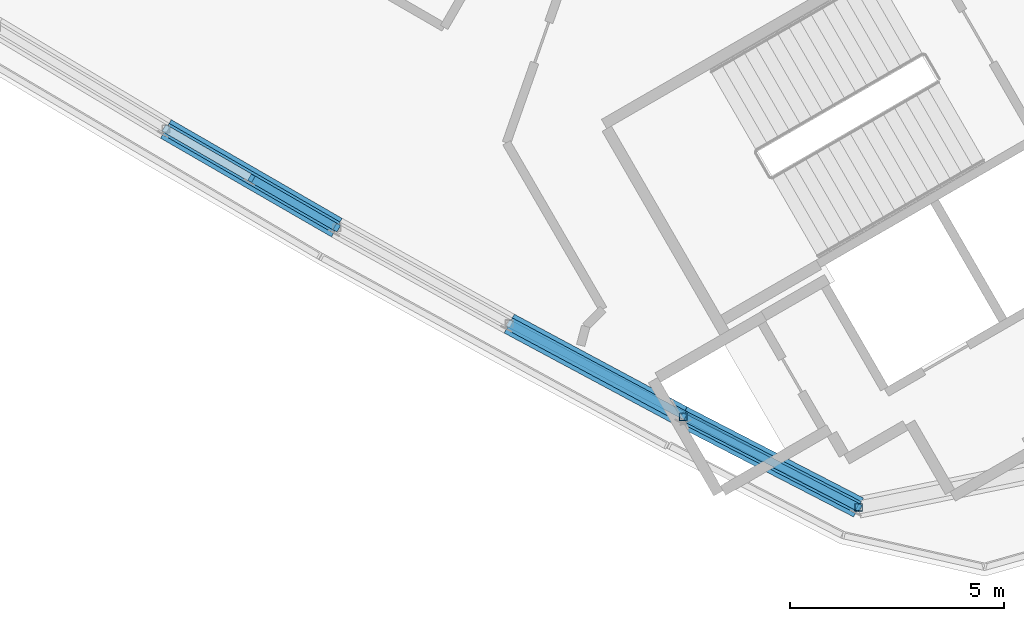
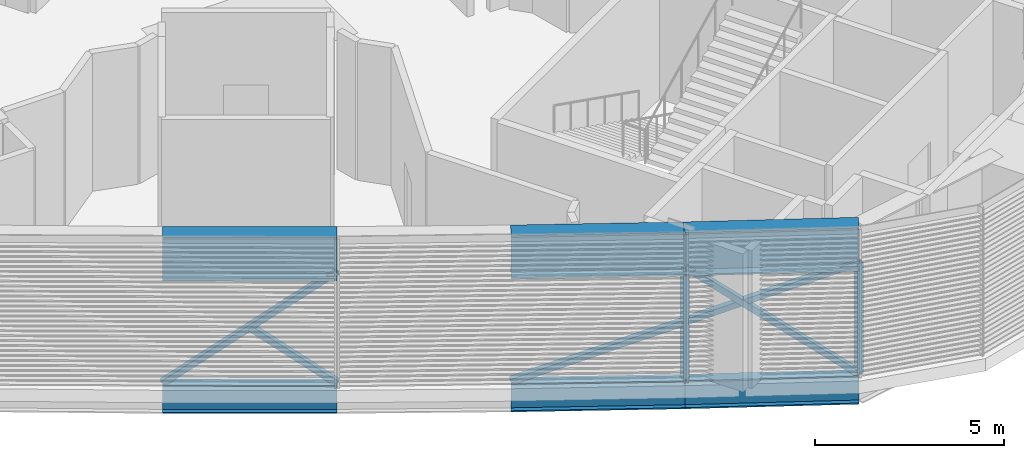
# One storey, part 3 of 21: 6 beams, 6 members.
"""IFC4 building model written with IfcOpenShell, lengths in metres."""

from ifc_helpers import new_model, si_unit, direction, frame, origin, origin_2d, place, context, subcontext, project, spatial, hollow_rectangle, i_section, extrude, material, material_profile, profile_set, type_object, element, save


model = new_model("IFC4")

# Units and contexts
model_context = context("Model", 3, precision=1e-05, world=origin(), true_north=direction((0.0, 1.0)))
body_context = subcontext(model_context, "Body", "Model", "MODEL_VIEW")
ifc_project = project(units=[si_unit("LENGTHUNIT", "METRE"), si_unit("AREAUNIT", "SQUARE_METRE"), si_unit("VOLUMEUNIT", "CUBIC_METRE"), si_unit("PLANEANGLEUNIT", "RADIAN"), si_unit("MASSUNIT", "GRAM", prefix="KILO")], contexts=[model_context])

# Site, building, storey
site_placement = place(None, origin())
site = spatial("IfcSite", under=ifc_project, at=site_placement, CompositionType="ELEMENT")
building_placement = place(site_placement, origin())
building = spatial("IfcBuilding", under=site, at=building_placement, Name="Tamra Quay Hotel Tower", CompositionType="ELEMENT")
storey_placement = place(building_placement, frame((0.0, 0.0, 301.800048828125)))
storey = spatial("IfcBuildingStorey", under=building, at=storey_placement, Name="L76", CompositionType="ELEMENT", Elevation=301.800048828125)

# Members
ifc_material = material(Name="Structural steel IS 2062 E350", Category="steel")
ifc_material_profile_1 = material_profile(ifc_material, hollow_rectangle(XDim=0.179931640625, YDim=0.179931640625, WallThickness=0.008056640625, at=origin_2d()), Name="SHS 180x180x8")
ifc_profile_set_1 = profile_set([ifc_material_profile_1], Name="Structural steel IS 2062 E350")
member_type = type_object("IfcMemberType", Name="BELT BRACE SHS 180x180x8 Z6", PredefinedType="BRACE", material=ifc_profile_set_1)
member_1_placement = place(storey_placement, frame((-9.81201171875, -12.3876953125, -0.400146484375), z_axis=(0.682373254296, -0.394007711879, 0.615731000358), x_axis=(0.500037434811, 0.866003789707, 0.0)))
element("IfcMember", 1, at=member_1_placement, inside=storey, type_object=member_type, Name="BR-L76-039", PredefinedType="BRACE", context=body_context, shape_type="SweptSolid", body=[
    extrude(hollow_rectangle(XDim=0.179931640625, YDim=0.179931640625, WallThickness=0.008056640625, at=origin_2d()), origin(), (0.0, 0.0, 1.0), 5.846923828125),
])
member_2_placement = place(storey_placement, frame((-5.822265625, -14.69140625, -0.400146484375), z_axis=(-0.682373254296, 0.394007711879, 0.615731000358), x_axis=(-0.500037434811, -0.866003789707, 0.0)))
element("IfcMember", 2, at=member_2_placement, inside=storey, type_object=member_type, Name="BR-L76-040", PredefinedType="BRACE", context=body_context, shape_type="SweptSolid", body=[
    extrude(hollow_rectangle(XDim=0.179931640625, YDim=0.179931640625, WallThickness=0.008056640625, at=origin_2d()), origin(), (0.0, 0.0, 1.0), 2.92333984375),
])
member_3_placement = place(storey_placement, frame((-1.796875, -16.93212890625, -0.400146484375), z_axis=(0.824204830927, -0.433869952321, 0.363927549313), x_axis=(0.465811954844, 0.884883734015, 0.0)))
element("IfcMember", 3, at=member_3_placement, inside=storey, type_object=member_type, Name="BR-L76-044", PredefinedType="BRACE", context=body_context, shape_type="SweptSolid", body=[
    extrude(hollow_rectangle(XDim=0.179931640625, YDim=0.179931640625, WallThickness=0.008056640625, at=origin_2d()), origin(), (0.0, 0.0, 1.0), 9.892333984375),
])
member_4_placement = place(storey_placement, frame((2.26318359375, -19.110107421875, -0.400146484375), z_axis=(0.0, 0.0, 1.0), x_axis=(1.0, 0.0, 0.0)))
element("IfcMember", 4, at=member_4_placement, inside=storey, type_object=member_type, Name="BR-L76-045", PredefinedType="BRACE", context=body_context, shape_type="SweptSolid", body=[
    extrude(hollow_rectangle(XDim=0.179931640625, YDim=0.179931640625, WallThickness=0.008056640625, at=origin_2d()), origin(), (0.0, 0.0, 1.0), 3.60009765625),
])
member_5_placement = place(storey_placement, frame((6.3564453125, -21.22412109375, -0.400146484375), z_axis=(-0.70009115396, 0.361570398553, 0.615742822157), x_axis=(-0.458876435306, -0.888500094046, 0.0)))
element("IfcMember", 5, at=member_5_placement, inside=storey, type_object=member_type, Name="BR-L76-046", PredefinedType="BRACE", context=body_context, shape_type="SweptSolid", body=[
    extrude(hollow_rectangle(XDim=0.179931640625, YDim=0.179931640625, WallThickness=0.008056640625, at=origin_2d()), origin(), (0.0, 0.0, 1.0), 5.8466796875),
])
member_6_placement = place(storey_placement, frame((6.3564453125, -21.22412109375, -0.400146484375), z_axis=(0.0, 0.0, 1.0), x_axis=(1.0, 0.0, 0.0)))
element("IfcMember", 6, at=member_6_placement, inside=storey, type_object=member_type, Name="BR-L76-047", PredefinedType="BRACE", context=body_context, shape_type="SweptSolid", body=[
    extrude(hollow_rectangle(XDim=0.179931640625, YDim=0.179931640625, WallThickness=0.008056640625, at=origin_2d()), origin(), (0.0, 0.0, 1.0), 3.60009765625),
])

# Beams
ifc_material_profile_2 = material_profile(ifc_material, i_section(OverallWidth=0.302001953125, OverallDepth=0.909912109375, WebThickness=0.027099609375, FlangeThickness=0.0400390625, at=origin_2d()), Name="WPB 900x300x333")
ifc_profile_set_2 = profile_set([ifc_material_profile_2], Name="Structural steel IS 2062 E350")
beam_type_1 = type_object("IfcBeamType", Name="BELT CHORD WPB 900x300x333 Z6", PredefinedType="BEAM", material=ifc_profile_set_2)
beam_1_placement = place(storey_placement, frame((-9.81201171875, -12.3876953125, -0.85498046875), z_axis=(0.866003789707, -0.500037434811, 0.0), x_axis=(0.500037434811, 0.866003789707, 0.0)))
element("IfcBeam", 7, at=beam_1_placement, inside=storey, type_object=beam_type_1, Name="BM-CHB-L76-021", PredefinedType="BEAM", context=body_context, shape_type="SweptSolid", body=[
    extrude(i_section(OverallWidth=0.302001953125, OverallDepth=0.909912109375, WebThickness=0.027099609375, FlangeThickness=0.0400390625, at=origin_2d()), origin(), (0.0, 0.0, 1.0), 4.607177734375),
])
beam_2_placement = place(storey_placement, frame((-1.796875, -16.93212890625, -0.85498046875), z_axis=(0.881213570035, -0.47271835588, 0.0), x_axis=(0.47271835588, 0.881213570035, 0.0)))
element("IfcBeam", 8, at=beam_2_placement, inside=storey, type_object=beam_type_1, Name="BM-CHB-L76-023", PredefinedType="BEAM", context=body_context, shape_type="SweptSolid", body=[
    extrude(i_section(OverallWidth=0.302001953125, OverallDepth=0.909912109375, WebThickness=0.027099609375, FlangeThickness=0.0400390625, at=origin_2d()), origin(), (0.0, 0.0, 1.0), 4.607421875),
])
beam_3_placement = place(storey_placement, frame((2.26318359375, -19.110107421875, -0.85498046875), z_axis=(0.888500094046, -0.458876435306, 0.0), x_axis=(0.458876435306, 0.888500094046, 0.0)))
element("IfcBeam", 9, at=beam_3_placement, inside=storey, type_object=beam_type_1, Name="BM-CHB-L76-024", PredefinedType="BEAM", context=body_context, shape_type="SweptSolid", body=[
    extrude(i_section(OverallWidth=0.302001953125, OverallDepth=0.909912109375, WebThickness=0.027099609375, FlangeThickness=0.0400390625, at=origin_2d()), origin(), (0.0, 0.0, 1.0), 4.60693359375),
])
ifc_material_profile_3 = material_profile(ifc_material, i_section(OverallWidth=0.5, OverallDepth=1.39990234375, WebThickness=0.02490234375, FlangeThickness=0.050048828125, at=origin_2d()), Name="WPG 1400x500x25x50")
ifc_profile_set_3 = profile_set([ifc_material_profile_3], Name="Structural steel IS 2062 E350")
beam_type_2 = type_object("IfcBeamType", Name="BELT TOP CHORD WPG 1400x500x25x50 Z6", PredefinedType="USERDEFINED", material=ifc_profile_set_3)
beam_4_placement = place(storey_placement, frame((-9.81201171875, -12.3876953125, 3.75), z_axis=(0.866003789707, -0.500037434811, 0.0), x_axis=(0.500037434811, 0.866003789707, 0.0)))
element("IfcBeam", 10, at=beam_4_placement, inside=storey, type_object=beam_type_2, Name="BM-CHT-L76-021", ObjectType="TRANSFER GIRDER", PredefinedType="USERDEFINED", context=body_context, shape_type="SweptSolid", body=[
    extrude(i_section(OverallWidth=0.5, OverallDepth=1.39990234375, WebThickness=0.02490234375, FlangeThickness=0.050048828125, at=origin_2d()), origin(), (0.0, 0.0, 1.0), 4.607177734375),
])
beam_5_placement = place(storey_placement, frame((-1.796875, -16.93212890625, 3.75), z_axis=(0.881219857657, -0.47270663468, 0.0), x_axis=(0.47270663468, 0.881219857657, 0.0)))
element("IfcBeam", 11, at=beam_5_placement, inside=storey, type_object=beam_type_2, Name="BM-CHT-L76-023", ObjectType="TRANSFER GIRDER", PredefinedType="USERDEFINED", context=body_context, shape_type="SweptSolid", body=[
    extrude(i_section(OverallWidth=0.5, OverallDepth=1.39990234375, WebThickness=0.02490234375, FlangeThickness=0.050048828125, at=origin_2d()), origin(), (0.0, 0.0, 1.0), 4.5791015625),
])
beam_6_placement = place(storey_placement, frame((2.238525390625, -19.097412109375, 3.75), z_axis=(0.888503587275, -0.458869671474, 0.0), x_axis=(0.458869671474, 0.888503587275, 0.0)))
element("IfcBeam", 12, at=beam_6_placement, inside=storey, type_object=beam_type_2, Name="BM-CHT-L76-024", ObjectType="TRANSFER GIRDER", PredefinedType="USERDEFINED", context=body_context, shape_type="SweptSolid", body=[
    extrude(i_section(OverallWidth=0.5, OverallDepth=1.39990234375, WebThickness=0.02490234375, FlangeThickness=0.050048828125, at=origin_2d()), origin(), (0.0, 0.0, 1.0), 4.634765625),
])

save(model, "model.ifc")
